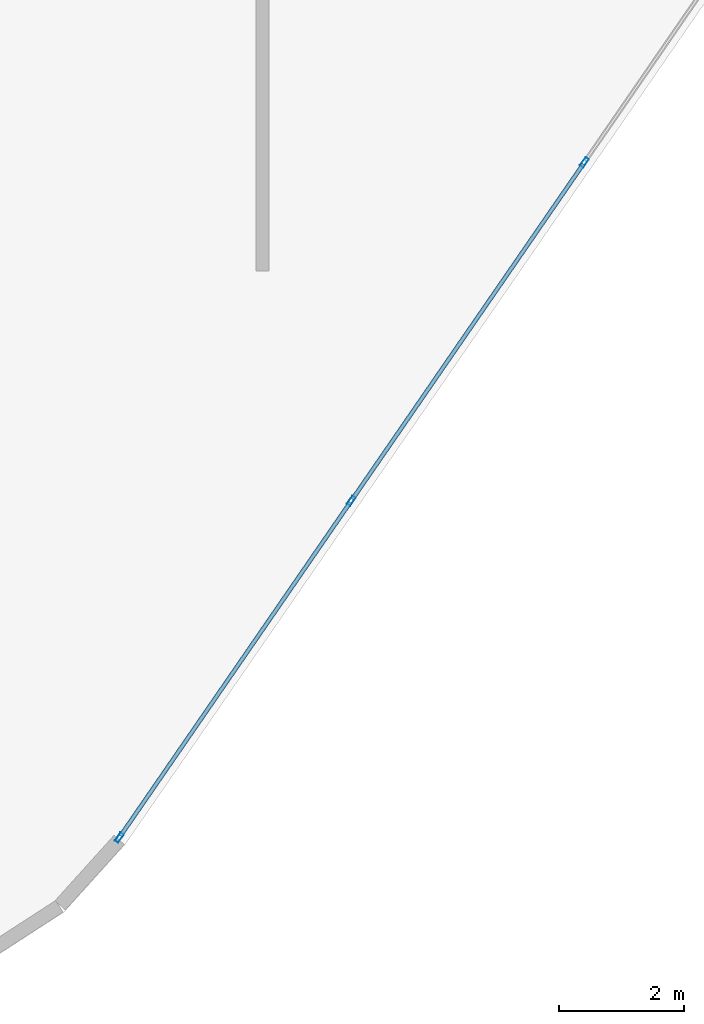
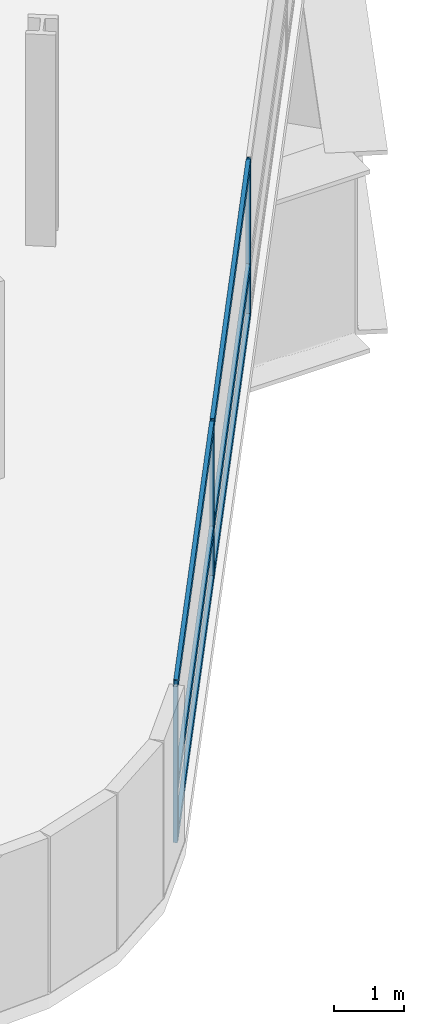
# One storey, part 6 of 26: 9 members, 1 element without a shape of its own.
"""IFC4 building model written with IfcOpenShell, lengths in metres."""

from ifc_helpers import new_model, si_unit, direction, frame, origin, origin_2d, place, context, subcontext, project, spatial, hollow_rectangle, extrude, material, layer, layer_set, material_profile, profile_set, type_object, element, aggregate, save


model = new_model("IFC4")

# Units and contexts
model_context = context("Model", 3, precision=1e-05, world=origin(), true_north=direction((0.0, 1.0)))
body_context = subcontext(model_context, "Body", "Model", "MODEL_VIEW")
ifc_project = project(units=[si_unit("LENGTHUNIT", "METRE"), si_unit("AREAUNIT", "SQUARE_METRE"), si_unit("VOLUMEUNIT", "CUBIC_METRE"), si_unit("PLANEANGLEUNIT", "RADIAN"), si_unit("MASSUNIT", "GRAM", prefix="KILO")], contexts=[model_context])

# Site, building, storey
site_placement = place(None, origin())
site = spatial("IfcSite", under=ifc_project, at=site_placement, CompositionType="ELEMENT")
building_placement = place(site_placement, origin())
building = spatial("IfcBuilding", under=site, at=building_placement, Name="Varnelok Gate Tower", CompositionType="ELEMENT")
storey_placement = place(building_placement, frame((0.0, 0.0, 27.0)))
storey = spatial("IfcBuildingStorey", under=building, at=storey_placement, Name="L05", CompositionType="ELEMENT", Elevation=27.0)

# Curtain wall, members
ifc_material = material(Name="Anodized Aluminum Alloy 6063-T6", Category="aluminium")
ifc_layer = layer(ifc_material, 0.179931640625)
ifc_layer_set = layer_set([ifc_layer], Name="Anodized Aluminum Alloy 6063-T6")
curtain_wall_type = type_object("IfcCurtainWallType", Name="CW3-HOTEL-VISION", PredefinedType="USERDEFINED", material=ifc_layer_set)
curtain_wall_placement = place(storey_placement, origin())
curtain_wall = element("IfcCurtainWall", 1, at=curtain_wall_placement, inside=storey, type_object=curtain_wall_type, Name="L05 East End Vision Curtain Wall", ObjectType="UNITISED CURTAIN WALL", PredefinedType="USERDEFINED")
ifc_material_profile_1 = material_profile(ifc_material, hollow_rectangle(XDim=0.06494140625, YDim=0.159912109375, WallThickness=0.00390625, at=origin_2d()), Name="ALU160X65X4")
ifc_profile_set_1 = profile_set([ifc_material_profile_1], Name="Anodized Aluminum Alloy 6063-T6")
member_type_1 = type_object("IfcMemberType", Name="CW-MULL-160", PredefinedType="MULLION", material=ifc_profile_set_1)
member_1_placement = place(storey_placement, frame((67.64208984375, -2.265380859375, 0.0), z_axis=(0.0, 0.0, 1.0), x_axis=(0.823532685111, -0.567268822124, 0.0)))
member_1 = element("IfcMember", 2, at=member_1_placement, type_object=member_type_1, Name="CW3 mullion 5", PredefinedType="MULLION", context=body_context, shape_type="SweptSolid", body=[
    extrude(hollow_rectangle(XDim=0.06494140625, YDim=0.159912109375, WallThickness=0.00390625, at=origin_2d()), origin(), (0.0, 0.0, 1.0), 2.72998046875),
])
member_2_placement = place(storey_placement, frame((63.9169921875, -7.67333984375, 0.0), z_axis=(0.0, 0.0, 1.0), x_axis=(0.823532685111, -0.567268822124, 0.0)))
member_2 = element("IfcMember", 3, at=member_2_placement, type_object=member_type_1, Name="CW3 mullion 6", PredefinedType="MULLION", context=body_context, shape_type="SweptSolid", body=[
    extrude(hollow_rectangle(XDim=0.06494140625, YDim=0.159912109375, WallThickness=0.00390625, at=origin_2d()), origin(), (0.0, 0.0, 1.0), 2.72998046875),
])
member_3_placement = place(storey_placement, frame((60.21044921875, -13.054443359375, 0.0), z_axis=(0.0, 0.0, 1.0), x_axis=(0.823532685111, -0.567268822124, 0.0)))
member_3 = element("IfcMember", 4, at=member_3_placement, type_object=member_type_1, Name="CW3 mullion 7", PredefinedType="MULLION", context=body_context, shape_type="SweptSolid", body=[
    extrude(hollow_rectangle(XDim=0.06494140625, YDim=0.159912109375, WallThickness=0.00390625, at=origin_2d()), origin(), (0.0, 0.0, 1.0), 2.72998046875),
])
ifc_material_profile_2 = material_profile(ifc_material, hollow_rectangle(XDim=0.06494140625, YDim=0.159912109375, WallThickness=0.00390625, at=origin_2d()), Name="ALU160X65X4")
ifc_profile_set_2 = profile_set([ifc_material_profile_2], Name="Anodized Aluminum Alloy 6063-T6")
member_type_2 = type_object("IfcMemberType", Name="CW-TRAN-160", PredefinedType="USERDEFINED", material=ifc_profile_set_2)
member_4_placement = place(storey_placement, frame((67.623779296875, -2.292236328125, 0.032470703125), z_axis=(-0.567279204469, -0.823525533409, 0.0), x_axis=(0.823525533409, -0.567279204469, 0.0)))
member_4 = element("IfcMember", 5, at=member_4_placement, type_object=member_type_2, Name="CW3 transom 5.1", ObjectType="TRANSOM", PredefinedType="USERDEFINED", context=body_context, shape_type="SweptSolid", body=[
    extrude(hollow_rectangle(XDim=0.06494140625, YDim=0.159912109375, WallThickness=0.00390625, at=origin_2d()), origin(), (0.0, 0.0, 1.0), 6.501708984375),
])
member_5_placement = place(storey_placement, frame((67.623779296875, -2.292236328125, 0.89990234375), z_axis=(-0.567279204469, -0.823525533409, 0.0), x_axis=(0.823525533409, -0.567279204469, 0.0)))
member_5 = element("IfcMember", 6, at=member_5_placement, type_object=member_type_2, Name="CW3 transom 5.2", ObjectType="TRANSOM", PredefinedType="USERDEFINED", context=body_context, shape_type="SweptSolid", body=[
    extrude(hollow_rectangle(XDim=0.06494140625, YDim=0.159912109375, WallThickness=0.00390625, at=origin_2d()), origin(), (0.0, 0.0, 1.0), 6.501708984375),
])
member_6_placement = place(storey_placement, frame((67.623779296875, -2.292236328125, 2.697509765625), z_axis=(-0.567279204469, -0.823525533409, 0.0), x_axis=(0.823525533409, -0.567279204469, 0.0)))
member_6 = element("IfcMember", 7, at=member_6_placement, type_object=member_type_2, Name="CW3 transom 5.3", ObjectType="TRANSOM", PredefinedType="USERDEFINED", context=body_context, shape_type="SweptSolid", body=[
    extrude(hollow_rectangle(XDim=0.06494140625, YDim=0.159912109375, WallThickness=0.00390625, at=origin_2d()), origin(), (0.0, 0.0, 1.0), 6.501708984375),
])
member_7_placement = place(storey_placement, frame((63.898681640625, -7.699951171875, 0.032470703125), z_axis=(-0.567281349446, -0.823524055854, 0.0), x_axis=(0.823524055854, -0.567281349446, 0.0)))
member_7 = element("IfcMember", 8, at=member_7_placement, type_object=member_type_2, Name="CW3 transom 6.1", ObjectType="TRANSOM", PredefinedType="USERDEFINED", context=body_context, shape_type="SweptSolid", body=[
    extrude(hollow_rectangle(XDim=0.06494140625, YDim=0.159912109375, WallThickness=0.00390625, at=origin_2d()), origin(), (0.0, 0.0, 1.0), 6.46923828125),
])
member_8_placement = place(storey_placement, frame((63.898681640625, -7.699951171875, 0.89990234375), z_axis=(-0.567281349446, -0.823524055854, 0.0), x_axis=(0.823524055854, -0.567281349446, 0.0)))
member_8 = element("IfcMember", 9, at=member_8_placement, type_object=member_type_2, Name="CW3 transom 6.2", ObjectType="TRANSOM", PredefinedType="USERDEFINED", context=body_context, shape_type="SweptSolid", body=[
    extrude(hollow_rectangle(XDim=0.06494140625, YDim=0.159912109375, WallThickness=0.00390625, at=origin_2d()), origin(), (0.0, 0.0, 1.0), 6.46923828125),
])
member_9_placement = place(storey_placement, frame((63.898681640625, -7.699951171875, 2.697509765625), z_axis=(-0.567281349446, -0.823524055854, 0.0), x_axis=(0.823524055854, -0.567281349446, 0.0)))
member_9 = element("IfcMember", 10, at=member_9_placement, type_object=member_type_2, Name="CW3 transom 6.3", ObjectType="TRANSOM", PredefinedType="USERDEFINED", context=body_context, shape_type="SweptSolid", body=[
    extrude(hollow_rectangle(XDim=0.06494140625, YDim=0.159912109375, WallThickness=0.00390625, at=origin_2d()), origin(), (0.0, 0.0, 1.0), 6.46923828125),
])
aggregate(curtain_wall, [member_1, member_2, member_3, member_4, member_5, member_6, member_7, member_8, member_9])

save(model, "model.ifc")
